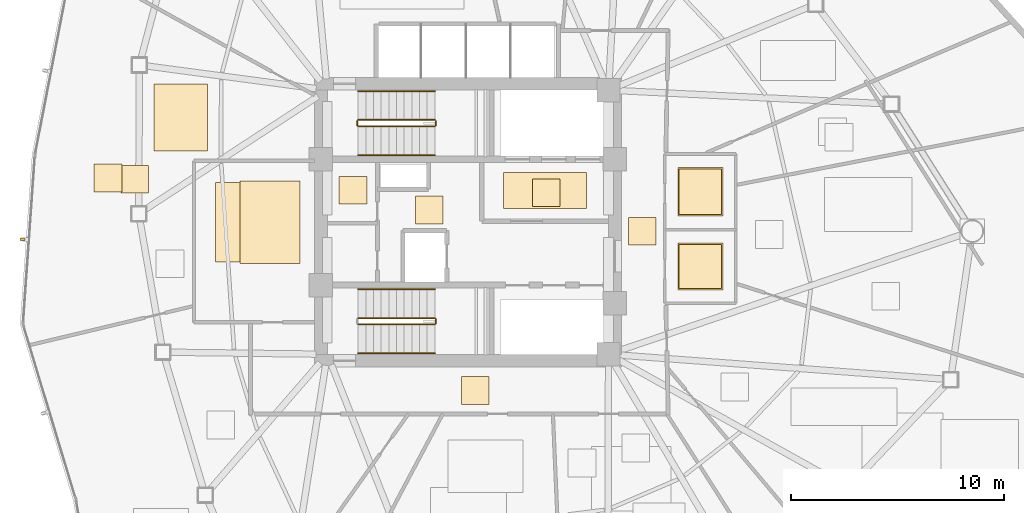
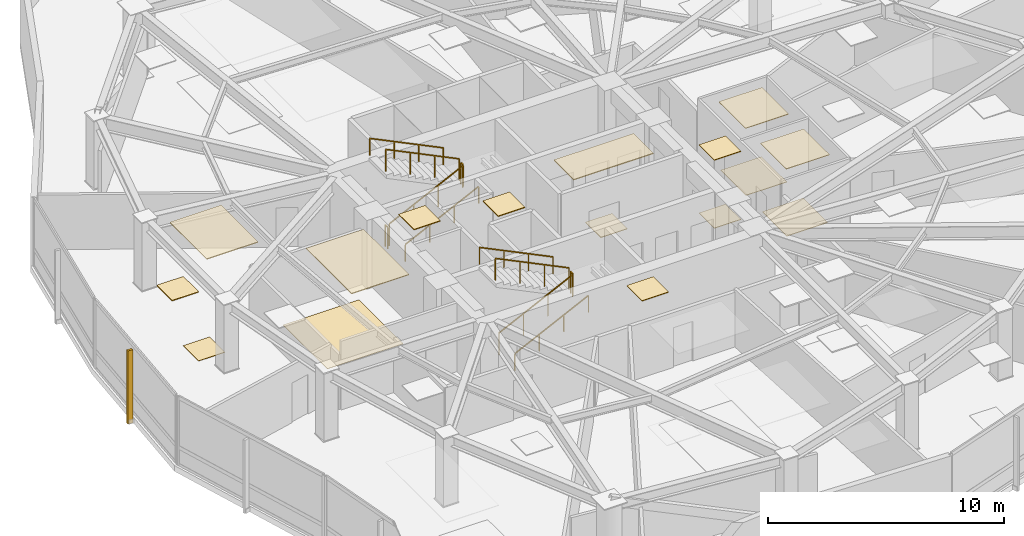
# One storey, part 15 of 17: 16 coverings, 11 railings, 1 shading device.
"""IFC4 building model written with IfcOpenShell, lengths in metres."""

from ifc_helpers import new_model, si_unit, direction, frame, origin, origin_2d, place, context, subcontext, project, spatial, polyline, rectangle, outline, extrude, source, transform, mapped, material, layer, layer_set, type_object, type_shapes, element, save


model = new_model("IFC4")

# Units and contexts
model_context = context("Model", 3, precision=1e-05, world=origin(), true_north=direction((0.0, 1.0)))
body_context = subcontext(model_context, "Body", "Model", "MODEL_VIEW")
ifc_project = project(units=[si_unit("LENGTHUNIT", "METRE"), si_unit("AREAUNIT", "SQUARE_METRE"), si_unit("VOLUMEUNIT", "CUBIC_METRE"), si_unit("PLANEANGLEUNIT", "RADIAN"), si_unit("MASSUNIT", "GRAM", prefix="KILO")], contexts=[model_context])

# Site, building, storey
site_placement = place(None, origin())
site = spatial("IfcSite", under=ifc_project, at=site_placement, CompositionType="ELEMENT")
building_placement = place(site_placement, origin())
building = spatial("IfcBuilding", under=site, at=building_placement, Name="Tavelor Broadcast Tower", CompositionType="ELEMENT")
storey_placement = place(building_placement, frame((0.0, 0.0, 127.14990234375)))
storey = spatial("IfcBuildingStorey", under=building, at=storey_placement, Name="L29", CompositionType="ELEMENT", Elevation=127.14990234375)

# Coverings
ifc_material_1 = material(Name="Copper-Bronze Anodized Aluminium", Category="aluminium")
ifc_layer_1 = layer(ifc_material_1, 0.044921875)
ifc_layer_set_1 = layer_set([ifc_layer_1], Name="Copper-Bronze Anodized Aluminium")
covering_type_1 = type_object("IfcCoveringType", Name="Anodised Bronze Linear Slatted Concourse Ceiling 45 mm", PredefinedType="CEILING", material=ifc_layer_set_1)
covering_1_placement = place(storey_placement, frame((0.0, 0.0, 3.505126953125)))
element("IfcCovering", 1, at=covering_1_placement, inside=storey, type_object=covering_type_1, Name="L29 Suspended Acoustic Ceiling 1141", PredefinedType="CEILING", context=body_context, shape_type="SweptSolid", body=[
    extrude(outline(polyline([(51.659912109375, 45.654296875), (55.55712890625, 45.654296875), (55.55712890625, 47.331787109375), (51.659912109375, 47.331787109375), (51.659912109375, 45.654296875)])), origin(), (0.0, 0.0, 1.0), 0.044921875),
])
covering_2_placement = place(storey_placement, frame((0.0, 0.0, 3.505126953125)))
element("IfcCovering", 2, at=covering_2_placement, inside=storey, type_object=covering_type_1, Name="L29 Suspended Acoustic Ceiling 1142", PredefinedType="CEILING", context=body_context, shape_type="SweptSolid", body=[
    extrude(outline(polyline([(47.5400390625, 44.919921875), (48.840087890625, 44.919921875), (48.840087890625, 46.219970703125), (47.5400390625, 46.219970703125), (47.5400390625, 44.919921875)])), origin(), (0.0, 0.0, 1.0), 0.044921875),
])

# Railings
ifc_material_2 = material(Name="Steel S355", Category="steel")
railing_type_1 = type_object("IfcRailingType", Name="Continuous Brushed Stainless Handrail 900 mm", PredefinedType="HANDRAIL", material=ifc_material_2)
railing_1_placement = place(storey_placement, frame((44.85009765625, 48.14990234375, 0.175048828125)))
element("IfcRailing", 3, at=railing_1_placement, inside=storey, type_object=railing_type_1, Name="L29 ST1 stair handrail 1", PredefinedType="HANDRAIL", context=body_context, shape_type="SweptSolid", body=[
    extrude(rectangle(XDim=0.048095703125, YDim=0.048095703125, at=origin_2d()), frame((0.0, 0.0, 0.8759765625), z_axis=(0.899360859046, 0.0, 0.437207096483), x_axis=(0.0, 1.0, 0.0)), (0.0, 0.0, 1.0), 4.002685546875),
    extrude(rectangle(XDim=0.0419921875, YDim=0.0419921875, at=origin_2d()), origin(), (0.0, 0.0, 1.0), 0.851806640625),
    extrude(rectangle(XDim=0.0419921875, YDim=0.0419921875, at=origin_2d()), frame((1.199951171875, 0.0, 0.583251953125)), (0.0, 0.0, 1.0), 0.851806640625),
    extrude(rectangle(XDim=0.0419921875, YDim=0.0419921875, at=origin_2d()), frame((2.39990234375, 0.0, 1.166748046875)), (0.0, 0.0, 1.0), 0.851806640625),
    extrude(rectangle(XDim=0.0419921875, YDim=0.0419921875, at=origin_2d()), frame((3.599853515625, 0.0, 1.75)), (0.0, 0.0, 1.0), 0.851806640625),
])
railing_2_placement = place(storey_placement, frame((48.449951171875, 51.14990234375, 2.10009765625)))
element("IfcRailing", 4, at=railing_2_placement, inside=storey, type_object=railing_type_1, Name="L29 ST1 stair handrail 2", PredefinedType="HANDRAIL", context=body_context, shape_type="SweptSolid", body=[
    extrude(rectangle(XDim=0.048095703125, YDim=0.048095703125, at=origin_2d()), frame((0.0, 0.0, 0.8759765625), z_axis=(-0.899360859046, 0.0, 0.437207096483), x_axis=(0.0, -1.0, 0.0)), (0.0, 0.0, 1.0), 4.002685546875),
    extrude(rectangle(XDim=0.0419921875, YDim=0.0419921875, at=origin_2d()), origin(), (0.0, 0.0, 1.0), 0.851806640625),
    extrude(rectangle(XDim=0.0419921875, YDim=0.0419921875, at=origin_2d()), frame((-1.199951171875, 0.0, 0.583251953125)), (0.0, 0.0, 1.0), 0.851806640625),
    extrude(rectangle(XDim=0.0419921875, YDim=0.0419921875, at=origin_2d()), frame((-2.39990234375, 0.0, 1.166748046875)), (0.0, 0.0, 1.0), 0.851806640625),
    extrude(rectangle(XDim=0.0419921875, YDim=0.0419921875, at=origin_2d()), frame((-3.599853515625, 0.0, 1.75)), (0.0, 0.0, 1.0), 0.851806640625),
])
railing_3_placement = place(storey_placement, frame((44.85009765625, 38.85009765625, 0.175048828125)))
element("IfcRailing", 5, at=railing_3_placement, inside=storey, type_object=railing_type_1, Name="L29 ST2 stair handrail 1", PredefinedType="HANDRAIL", context=body_context, shape_type="SweptSolid", body=[
    extrude(rectangle(XDim=0.048095703125, YDim=0.048095703125, at=origin_2d()), frame((0.0, 0.0, 0.8759765625), z_axis=(0.899360859046, 0.0, 0.437207096483), x_axis=(0.0, 1.0, 0.0)), (0.0, 0.0, 1.0), 4.002685546875),
    extrude(rectangle(XDim=0.0419921875, YDim=0.0419921875, at=origin_2d()), origin(), (0.0, 0.0, 1.0), 0.851806640625),
    extrude(rectangle(XDim=0.0419921875, YDim=0.0419921875, at=origin_2d()), frame((1.199951171875, 0.0, 0.583251953125)), (0.0, 0.0, 1.0), 0.851806640625),
    extrude(rectangle(XDim=0.0419921875, YDim=0.0419921875, at=origin_2d()), frame((2.39990234375, 0.0, 1.166748046875)), (0.0, 0.0, 1.0), 0.851806640625),
    extrude(rectangle(XDim=0.0419921875, YDim=0.0419921875, at=origin_2d()), frame((3.599853515625, 0.0, 1.75)), (0.0, 0.0, 1.0), 0.851806640625),
])
railing_4_placement = place(storey_placement, frame((48.449951171875, 41.85009765625, 2.10009765625)))
element("IfcRailing", 6, at=railing_4_placement, inside=storey, type_object=railing_type_1, Name="L29 ST2 stair handrail 2", PredefinedType="HANDRAIL", context=body_context, shape_type="SweptSolid", body=[
    extrude(rectangle(XDim=0.048095703125, YDim=0.048095703125, at=origin_2d()), frame((0.0, 0.0, 0.8759765625), z_axis=(-0.899360859046, 0.0, 0.437207096483), x_axis=(0.0, -1.0, 0.0)), (0.0, 0.0, 1.0), 4.002685546875),
    extrude(rectangle(XDim=0.0419921875, YDim=0.0419921875, at=origin_2d()), origin(), (0.0, 0.0, 1.0), 0.851806640625),
    extrude(rectangle(XDim=0.0419921875, YDim=0.0419921875, at=origin_2d()), frame((-1.199951171875, 0.0, 0.583251953125)), (0.0, 0.0, 1.0), 0.851806640625),
    extrude(rectangle(XDim=0.0419921875, YDim=0.0419921875, at=origin_2d()), frame((-2.39990234375, 0.0, 1.166748046875)), (0.0, 0.0, 1.0), 0.851806640625),
    extrude(rectangle(XDim=0.0419921875, YDim=0.0419921875, at=origin_2d()), frame((-3.599853515625, 0.0, 1.75)), (0.0, 0.0, 1.0), 0.851806640625),
])

# Coverings
ifc_material_3 = material(Name="Architectural Anodized Aluminium", Category="aluminium")
ifc_layer_2 = layer(ifc_material_3, 0.034912109375)
ifc_layer_set_2 = layer_set([ifc_layer_2], Name="Architectural Anodized Aluminium")
covering_type_2 = type_object("IfcCoveringType", Name="Demountable Metal Tile Corridor Ceiling 35 mm", PredefinedType="CEILING", material=ifc_layer_set_2)
covering_3_placement = place(storey_placement, frame((0.0, 0.0, 3.51513671875)))
element("IfcCovering", 7, at=covering_3_placement, inside=storey, type_object=covering_type_2, Name="L29 Suspended Acoustic Ceiling 1144", PredefinedType="CEILING", context=body_context, shape_type="SweptSolid", body=[
    extrude(outline(polyline([(57.5400390625, 43.925048828125), (58.840087890625, 43.925048828125), (58.840087890625, 45.22509765625), (57.5400390625, 45.22509765625), (57.5400390625, 43.925048828125)])), origin(), (0.0, 0.0, 1.0), 0.034912109375),
])
covering_4_placement = place(storey_placement, frame((0.0, 0.0, 3.51513671875)))
element("IfcCovering", 8, at=covering_4_placement, inside=storey, type_object=covering_type_2, Name="L29 Suspended Acoustic Ceiling 1145", PredefinedType="CEILING", context=body_context, shape_type="SweptSolid", body=[
    extrude(outline(polyline([(49.689208984375, 36.449951171875), (50.9892578125, 36.449951171875), (50.9892578125, 37.75), (49.689208984375, 37.75), (49.689208984375, 36.449951171875)])), origin(), (0.0, 0.0, 1.0), 0.034912109375),
])
ifc_material_4 = material(Name="Acoustic Nylon Carpet Tile")
ifc_layer_3 = layer(ifc_material_4, 0.02001953125)
ifc_layer_set_3 = layer_set([ifc_layer_3], Name="Acoustic Nylon Carpet Tile")
covering_type_3 = type_object("IfcCoveringType", Name="Heavy-Duty Acoustic Broadcast Carpet Tile 20 mm", PredefinedType="FLOORING", material=ifc_layer_set_3)
covering_5_placement = place(storey_placement, origin())
element("IfcCovering", 9, at=covering_5_placement, inside=storey, type_object=covering_type_3, Name="L29 Broadcast Floor Finish 0402", PredefinedType="FLOORING", context=body_context, shape_type="SweptSolid", body=[
    extrude(outline(polyline([(57.5400390625, 43.925048828125), (58.840087890625, 43.925048828125), (58.840087890625, 45.22509765625), (57.5400390625, 45.22509765625), (57.5400390625, 43.925048828125)])), origin(), (0.0, 0.0, 1.0), 0.02001953125),
])
covering_6_placement = place(storey_placement, origin())
element("IfcCovering", 10, at=covering_6_placement, inside=storey, type_object=covering_type_3, Name="L29 Broadcast Floor Finish 0403", PredefinedType="FLOORING", context=body_context, shape_type="SweptSolid", body=[
    extrude(outline(polyline([(38.143798828125, 43.12890625), (41.856201171875, 43.12890625), (41.856201171875, 46.87060546875), (38.143798828125, 46.87060546875), (38.143798828125, 43.12890625)])), origin(), (0.0, 0.0, 1.0), 0.02001953125),
])
covering_7_placement = place(storey_placement, origin())
element("IfcCovering", 11, at=covering_7_placement, inside=storey, type_object=covering_type_3, Name="L29 Broadcast Floor Finish 0410", PredefinedType="FLOORING", context=body_context, shape_type="SweptSolid", body=[
    extrude(outline(polyline([(33.70751953125, 46.3603515625), (35.00732421875, 46.3603515625), (35.00732421875, 47.660400390625), (33.70751953125, 47.660400390625), (33.70751953125, 46.3603515625)])), origin(), (0.0, 0.0, 1.0), 0.02001953125),
])
ifc_material_5 = material(Name="Honed Natural Limestone Tile", Category="masonry")
ifc_layer_4 = layer(ifc_material_5, 0.030029296875)
ifc_layer_set_4 = layer_set([ifc_layer_4], Name="Honed Natural Limestone Tile")
covering_type_4 = type_object("IfcCoveringType", Name="Honed Jerusalem Limestone Concourse Flooring 30 mm", PredefinedType="FLOORING", material=ifc_layer_set_4)
covering_8_placement = place(storey_placement, origin())
element("IfcCovering", 12, at=covering_8_placement, inside=storey, type_object=covering_type_4, Name="L29 Broadcast Floor Finish 0401", PredefinedType="FLOORING", context=body_context, shape_type="SweptSolid", body=[
    extrude(outline(polyline([(53.030029296875, 45.728515625), (54.330078125, 45.728515625), (54.330078125, 47.028564453125), (53.030029296875, 47.028564453125), (53.030029296875, 45.728515625)])), origin(), (0.0, 0.0, 1.0), 0.030029296875),
])
ifc_layer_5 = layer(ifc_material_3, 0.030029296875)
ifc_layer_set_5 = layer_set([ifc_layer_5], Name="Architectural Anodized Aluminium")
covering_type_5 = type_object("IfcCoveringType", Name="Moisture-Resistant Washroom Ceiling 30 mm", PredefinedType="CEILING", material=ifc_layer_set_5)
covering_9_placement = place(storey_placement, frame((0.0, 0.0, 3.52001953125)))
element("IfcCovering", 13, at=covering_9_placement, inside=storey, type_object=covering_type_5, Name="L29 Suspended Acoustic Ceiling 1147", PredefinedType="CEILING", context=body_context, shape_type="SweptSolid", body=[
    extrude(outline(polyline([(59.85302734375, 41.828369140625), (61.967041015625, 41.828369140625), (61.967041015625, 44.021484375), (59.85302734375, 44.021484375), (59.85302734375, 41.828369140625)])), origin(), (0.0, 0.0, 1.0), 0.030029296875),
])
covering_10_placement = place(storey_placement, frame((0.0, 0.0, 3.52001953125)))
element("IfcCovering", 14, at=covering_10_placement, inside=storey, type_object=covering_type_5, Name="L29 Suspended Acoustic Ceiling 1148", PredefinedType="CEILING", context=body_context, shape_type="SweptSolid", body=[
    extrude(outline(polyline([(59.85302734375, 45.29248046875), (61.967041015625, 45.29248046875), (61.967041015625, 47.5576171875), (59.85302734375, 47.5576171875), (59.85302734375, 45.29248046875)])), origin(), (0.0, 0.0, 1.0), 0.030029296875),
])
ifc_material_6 = material(Name="Slip-Resistant Porcelain Tile")
ifc_layer_6 = layer(ifc_material_6, 0.02490234375)
ifc_layer_set_6 = layer_set([ifc_layer_6], Name="Slip-Resistant Porcelain Tile")
covering_type_6 = type_object("IfcCoveringType", Name="Slip-Resistant Porcelain Wet-Area Floor Tile 25 mm", PredefinedType="FLOORING", material=ifc_layer_set_6)
covering_11_placement = place(storey_placement, origin())
element("IfcCovering", 15, at=covering_11_placement, inside=storey, type_object=covering_type_6, Name="L29 Broadcast Floor Finish 0404", PredefinedType="FLOORING", context=body_context, shape_type="SweptSolid", body=[
    extrude(outline(polyline([(59.91064453125, 41.885986328125), (61.909423828125, 41.885986328125), (61.909423828125, 43.964111328125), (59.91064453125, 43.964111328125), (59.91064453125, 41.885986328125)])), origin(), (0.0, 0.0, 1.0), 0.025146484375),
])
covering_12_placement = place(storey_placement, origin())
element("IfcCovering", 16, at=covering_12_placement, inside=storey, type_object=covering_type_6, Name="L29 Broadcast Floor Finish 0405", PredefinedType="FLOORING", context=body_context, shape_type="SweptSolid", body=[
    extrude(outline(polyline([(59.91064453125, 45.35009765625), (61.909423828125, 45.35009765625), (61.909423828125, 47.5), (59.91064453125, 47.5), (59.91064453125, 45.35009765625)])), origin(), (0.0, 0.0, 1.0), 0.025146484375),
])

# Railings
railing_type_2 = type_object("IfcRailingType", Name="Stairwell Steel Safety Guardrail 1150 mm", PredefinedType="GUARDRAIL", material=ifc_material_2)
railing_5_placement = place(storey_placement, frame((44.85009765625, 49.5, 0.175048828125)))
element("IfcRailing", 17, at=railing_5_placement, inside=storey, type_object=railing_type_2, Name="L29 ST1 stair guard 1", PredefinedType="GUARDRAIL", context=body_context, shape_type="SweptSolid", body=[
    extrude(rectangle(XDim=0.048095703125, YDim=0.048095703125, at=origin_2d()), frame((0.0, 0.0, 1.1259765625), z_axis=(0.899360859046, 0.0, 0.437207096483), x_axis=(0.0, 1.0, 0.0)), (0.0, 0.0, 1.0), 4.002685546875),
    extrude(rectangle(XDim=0.0419921875, YDim=0.0419921875, at=origin_2d()), origin(), (0.0, 0.0, 1.0), 1.101806640625),
    extrude(rectangle(XDim=0.0419921875, YDim=0.0419921875, at=origin_2d()), frame((1.199951171875, 0.0, 0.583251953125)), (0.0, 0.0, 1.0), 1.101806640625),
    extrude(rectangle(XDim=0.0419921875, YDim=0.0419921875, at=origin_2d()), frame((2.39990234375, 0.0, 1.166748046875)), (0.0, 0.0, 1.0), 1.101806640625),
    extrude(rectangle(XDim=0.0419921875, YDim=0.0419921875, at=origin_2d()), frame((3.599853515625, 0.0, 1.75)), (0.0, 0.0, 1.0), 1.101806640625),
])
railing_6_placement = place(storey_placement, frame((48.5, 49.550048828125, 1.925048828125)))
element("IfcRailing", 18, at=railing_6_placement, inside=storey, type_object=railing_type_2, Name="L29 ST1 stair guard 2", PredefinedType="GUARDRAIL", context=body_context, shape_type="SweptSolid", body=[
    extrude(rectangle(XDim=0.048095703125, YDim=0.048095703125, at=origin_2d()), frame((0.0, 0.0, 1.1259765625), z_axis=(0.0, 1.0, 0.0), x_axis=(-1.0, 0.0, 0.0)), (0.0, 0.0, 1.0), 0.199951171875),
    extrude(rectangle(XDim=0.0419921875, YDim=0.0419921875, at=origin_2d()), origin(), (0.0, 0.0, 1.0), 1.101806640625),
    extrude(rectangle(XDim=0.0419921875, YDim=0.0419921875, at=origin_2d()), frame((0.0, 0.199951171875, 0.0)), (0.0, 0.0, 1.0), 1.101806640625),
])
railing_7_placement = place(storey_placement, frame((48.449951171875, 49.800048828125, 2.10009765625)))
element("IfcRailing", 19, at=railing_7_placement, inside=storey, type_object=railing_type_2, Name="L29 ST1 stair guard 3", PredefinedType="GUARDRAIL", context=body_context, shape_type="SweptSolid", body=[
    extrude(rectangle(XDim=0.048095703125, YDim=0.048095703125, at=origin_2d()), frame((0.0, 0.0, 1.1259765625), z_axis=(-0.899360859046, 0.0, 0.437207096483), x_axis=(0.0, -1.0, 0.0)), (0.0, 0.0, 1.0), 4.002685546875),
    extrude(rectangle(XDim=0.0419921875, YDim=0.0419921875, at=origin_2d()), origin(), (0.0, 0.0, 1.0), 1.101806640625),
    extrude(rectangle(XDim=0.0419921875, YDim=0.0419921875, at=origin_2d()), frame((-1.199951171875, 0.0, 0.583251953125)), (0.0, 0.0, 1.0), 1.101806640625),
    extrude(rectangle(XDim=0.0419921875, YDim=0.0419921875, at=origin_2d()), frame((-2.39990234375, 0.0, 1.166748046875)), (0.0, 0.0, 1.0), 1.101806640625),
    extrude(rectangle(XDim=0.0419921875, YDim=0.0419921875, at=origin_2d()), frame((-3.599853515625, 0.0, 1.75)), (0.0, 0.0, 1.0), 1.101806640625),
])
railing_8_placement = place(storey_placement, frame((44.800048828125, 49.550048828125, 0.0)))
element("IfcRailing", 20, at=railing_8_placement, inside=storey, type_object=railing_type_2, Name="L29 ST1 stair guard 4", PredefinedType="GUARDRAIL", context=body_context, shape_type="SweptSolid", body=[
    extrude(rectangle(XDim=0.048095703125, YDim=0.048095703125, at=origin_2d()), frame((0.0, 0.0, 1.1259765625), z_axis=(0.0, 1.0, 0.0), x_axis=(-1.0, 0.0, 0.0)), (0.0, 0.0, 1.0), 0.199951171875),
    extrude(rectangle(XDim=0.0419921875, YDim=0.0419921875, at=origin_2d()), origin(), (0.0, 0.0, 1.0), 1.101806640625),
    extrude(rectangle(XDim=0.0419921875, YDim=0.0419921875, at=origin_2d()), frame((0.0, 0.199951171875, 0.0)), (0.0, 0.0, 1.0), 1.101806640625),
])
railing_9_placement = place(storey_placement, frame((44.85009765625, 40.199951171875, 0.175048828125)))
element("IfcRailing", 21, at=railing_9_placement, inside=storey, type_object=railing_type_2, Name="L29 ST2 stair guard 1", PredefinedType="GUARDRAIL", context=body_context, shape_type="SweptSolid", body=[
    extrude(rectangle(XDim=0.048095703125, YDim=0.048095703125, at=origin_2d()), frame((0.0, 0.0, 1.1259765625), z_axis=(0.899360859046, 0.0, 0.437207096483), x_axis=(0.0, 1.0, 0.0)), (0.0, 0.0, 1.0), 4.002685546875),
    extrude(rectangle(XDim=0.0419921875, YDim=0.0419921875, at=origin_2d()), origin(), (0.0, 0.0, 1.0), 1.101806640625),
    extrude(rectangle(XDim=0.0419921875, YDim=0.0419921875, at=origin_2d()), frame((1.199951171875, 0.0, 0.583251953125)), (0.0, 0.0, 1.0), 1.101806640625),
    extrude(rectangle(XDim=0.0419921875, YDim=0.0419921875, at=origin_2d()), frame((2.39990234375, 0.0, 1.166748046875)), (0.0, 0.0, 1.0), 1.101806640625),
    extrude(rectangle(XDim=0.0419921875, YDim=0.0419921875, at=origin_2d()), frame((3.599853515625, 0.0, 1.75)), (0.0, 0.0, 1.0), 1.101806640625),
])
railing_10_placement = place(storey_placement, frame((48.5, 40.25, 1.925048828125)))
element("IfcRailing", 22, at=railing_10_placement, inside=storey, type_object=railing_type_2, Name="L29 ST2 stair guard 2", PredefinedType="GUARDRAIL", context=body_context, shape_type="SweptSolid", body=[
    extrude(rectangle(XDim=0.048095703125, YDim=0.048095703125, at=origin_2d()), frame((0.0, 0.0, 1.1259765625), z_axis=(0.0, 1.0, 0.0), x_axis=(-1.0, 0.0, 0.0)), (0.0, 0.0, 1.0), 0.199951171875),
    extrude(rectangle(XDim=0.0419921875, YDim=0.0419921875, at=origin_2d()), origin(), (0.0, 0.0, 1.0), 1.101806640625),
    extrude(rectangle(XDim=0.0419921875, YDim=0.0419921875, at=origin_2d()), frame((0.0, 0.199951171875, 0.0)), (0.0, 0.0, 1.0), 1.101806640625),
])
railing_11_placement = place(storey_placement, frame((48.449951171875, 40.5, 2.10009765625)))
element("IfcRailing", 23, at=railing_11_placement, inside=storey, type_object=railing_type_2, Name="L29 ST2 stair guard 3", PredefinedType="GUARDRAIL", context=body_context, shape_type="SweptSolid", body=[
    extrude(rectangle(XDim=0.048095703125, YDim=0.048095703125, at=origin_2d()), frame((0.0, 0.0, 1.1259765625), z_axis=(-0.899360859046, 0.0, 0.437207096483), x_axis=(0.0, -1.0, 0.0)), (0.0, 0.0, 1.0), 4.002685546875),
    extrude(rectangle(XDim=0.0419921875, YDim=0.0419921875, at=origin_2d()), origin(), (0.0, 0.0, 1.0), 1.101806640625),
    extrude(rectangle(XDim=0.0419921875, YDim=0.0419921875, at=origin_2d()), frame((-1.199951171875, 0.0, 0.583251953125)), (0.0, 0.0, 1.0), 1.101806640625),
    extrude(rectangle(XDim=0.0419921875, YDim=0.0419921875, at=origin_2d()), frame((-2.39990234375, 0.0, 1.166748046875)), (0.0, 0.0, 1.0), 1.101806640625),
    extrude(rectangle(XDim=0.0419921875, YDim=0.0419921875, at=origin_2d()), frame((-3.599853515625, 0.0, 1.75)), (0.0, 0.0, 1.0), 1.101806640625),
])

# Coverings
ifc_material_7 = material(Name="Acoustic Mineral Fibre Tile")
ifc_layer_7 = layer(ifc_material_7, 0.0400390625)
ifc_layer_set_7 = layer_set([ifc_layer_7], Name="Acoustic Mineral Fibre Tile")
covering_type_7 = type_object("IfcCoveringType", Name="Suspended Acoustic Mineral-Fibre Office Ceiling 40 mm", PredefinedType="CEILING", material=ifc_layer_set_7)
covering_13_placement = place(storey_placement, frame((0.0, 0.0, 3.510009765625)))
element("IfcCovering", 24, at=covering_13_placement, inside=storey, type_object=covering_type_7, Name="L29 Suspended Acoustic Ceiling 1143", PredefinedType="CEILING", context=body_context, shape_type="SweptSolid", body=[
    extrude(outline(polyline([(43.951416015625, 45.843017578125), (45.25146484375, 45.843017578125), (45.25146484375, 47.14306640625), (43.951416015625, 47.14306640625), (43.951416015625, 45.843017578125)])), origin(), (0.0, 0.0, 1.0), 0.0400390625),
])
covering_14_placement = place(storey_placement, frame((0.0, 0.0, 3.510009765625)))
element("IfcCovering", 25, at=covering_14_placement, inside=storey, type_object=covering_type_7, Name="L29 Suspended Acoustic Ceiling 1146", PredefinedType="CEILING", context=body_context, shape_type="SweptSolid", body=[
    extrude(outline(polyline([(39.2998046875, 43.0712890625), (42.111328125, 43.0712890625), (42.111328125, 46.927978515625), (39.2998046875, 46.927978515625), (39.2998046875, 43.0712890625)])), origin(), (0.0, 0.0, 1.0), 0.0400390625),
])
covering_15_placement = place(storey_placement, frame((0.0, 0.0, 3.510009765625)))
element("IfcCovering", 26, at=covering_15_placement, inside=storey, type_object=covering_type_7, Name="L29 Suspended Acoustic Ceiling 1161", PredefinedType="CEILING", context=body_context, shape_type="SweptSolid", body=[
    extrude(outline(polyline([(32.45263671875, 46.42333984375), (33.752685546875, 46.42333984375), (33.752685546875, 47.723388671875), (32.45263671875, 47.723388671875), (32.45263671875, 46.42333984375)])), origin(), (0.0, 0.0, 1.0), 0.0400390625),
])
covering_16_placement = place(storey_placement, frame((0.0, 0.0, 3.510009765625)))
element("IfcCovering", 27, at=covering_16_placement, inside=storey, type_object=covering_type_7, Name="L29 Suspended Acoustic Ceiling 1162", PredefinedType="CEILING", context=body_context, shape_type="SweptSolid", body=[
    extrude(outline(polyline([(35.260498046875, 48.351318359375), (37.779052734375, 48.351318359375), (37.779052734375, 51.484619140625), (35.260498046875, 51.484619140625), (35.260498046875, 48.351318359375)])), origin(), (0.0, 0.0, 1.0), 0.0400390625),
])

# Shading device
ifc_material_8 = material(Name="Kiln-Fired Glazed Terracotta", Category="masonry")
shading_device_type = type_object("IfcShadingDeviceType", Name="Extruded Terracotta Baguette Sun-Screen 110x240", PredefinedType="JALOUSIE", material=ifc_material_8)
shared_shape = source(origin(), body_context, "Body", "SweptSolid", [
    extrude(rectangle(XDim=0.110107421875, YDim=0.239990234375, at=origin_2d()), origin(), (0.0, 0.0, 1.0), 3.7900390625),
])
type_shapes(shading_device_type, [shared_shape])
shading_device_placement = place(storey_placement, frame((29.09619140625, 44.195556640625, -0.260009765625), z_axis=(0.0, 0.0, 1.0), x_axis=(-0.070104685031, -0.997539639882, 0.0)))
element("IfcShadingDevice", 28, at=shading_device_placement, inside=storey, type_object=shading_device_type, Name="L29 Terracotta Baguette Fin 278", PredefinedType="JALOUSIE", context=body_context, shape_type="MappedRepresentation", body=[
    mapped(shared_shape, transform((0.0, 0.0, 0.0), scale=1.0)),
])

save(model, "model.ifc")
